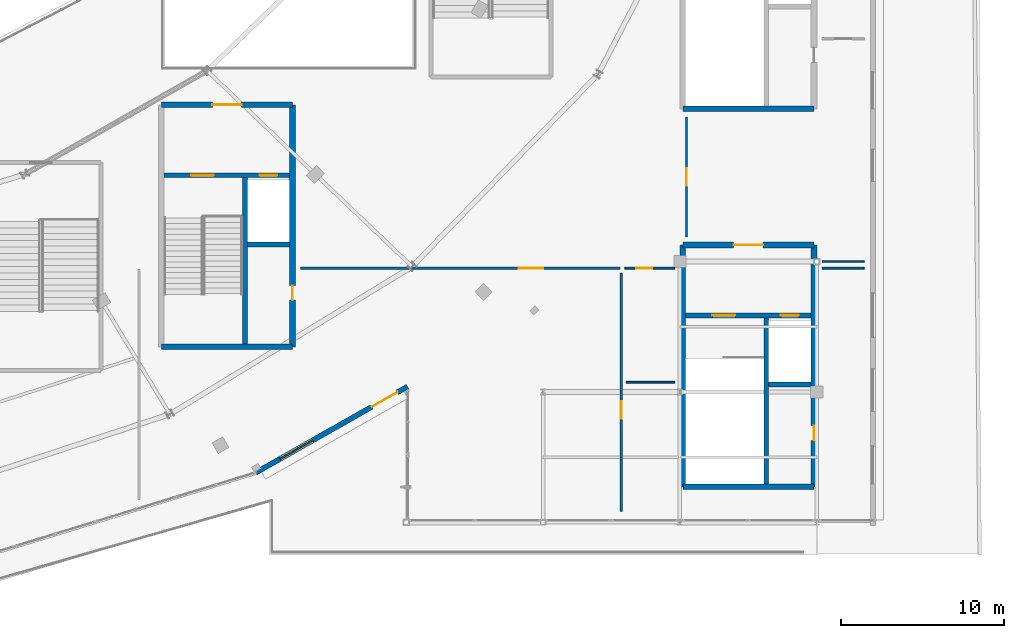
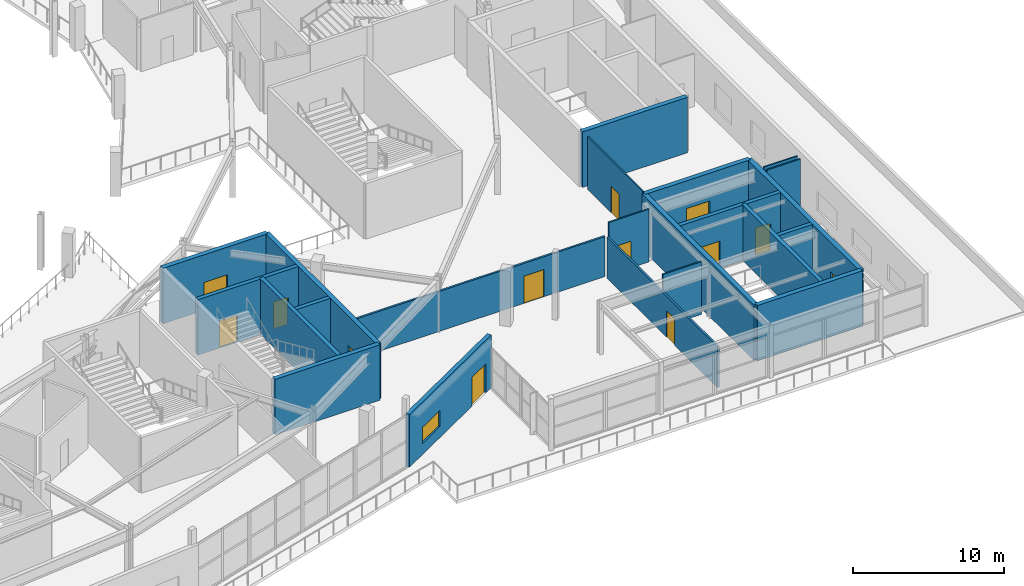
# One storey, part 91 of 123: 22 walls, 13 doors, 1 window, 14 openings.
"""IFC4 building model written with IfcOpenShell, lengths in metres."""

from ifc_helpers import new_model, si_unit, direction, frame, frame_2d, origin, place, context, subcontext, project, spatial, rectangle, extrude, material, layer, layer_set, type_object, element, fill, save


model = new_model("IFC4")

# Units and contexts
model_context = context("Model", 3, precision=1e-05, world=origin(), true_north=direction((0.0, 1.0)))
body_context = subcontext(model_context, "Body", "Model", "MODEL_VIEW")
ifc_project = project(units=[si_unit("LENGTHUNIT", "METRE"), si_unit("AREAUNIT", "SQUARE_METRE"), si_unit("VOLUMEUNIT", "CUBIC_METRE"), si_unit("PLANEANGLEUNIT", "RADIAN"), si_unit("MASSUNIT", "GRAM", prefix="KILO")], contexts=[model_context])

# Site, building, storey
site_placement = place(None, origin())
site = spatial("IfcSite", under=ifc_project, at=site_placement, CompositionType="ELEMENT")
building_placement = place(site_placement, origin())
building = spatial("IfcBuilding", under=site, at=building_placement, Name="Kalgoora Escarpment Arena", CompositionType="ELEMENT")
storey_placement = place(building_placement, frame((0.0, 0.0, 9.89990234375)))
storey = spatial("IfcBuildingStorey", under=building, at=storey_placement, Name="L02", CompositionType="ELEMENT", Elevation=9.89990234375)

# Wall
ifc_material_1 = material(Name="Concrete N50 (fc' 50 MPa)", Category="concrete")
ifc_layer_1 = layer(ifc_material_1, 0.35009765625)
ifc_layer_set_1 = layer_set([ifc_layer_1], Name="WAL-CORE-350")
wall_type_1 = type_object("IfcWallType", Name="WAL-CORE-350", PredefinedType="SHEAR", material=ifc_layer_set_1)
wall_1_placement = place(storey_placement, frame((127.77490234375, 18.77490234375, 0.0), z_axis=(0.0, 0.0, 1.0), x_axis=(1.0, 0.0, 0.0)))
element("IfcWall", 1, at=wall_1_placement, inside=storey, type_object=wall_type_1, Name="Core C6 L02 south shear wall", PredefinedType="SHEAR", context=body_context, shape_type="SweptSolid", body=[
    extrude(rectangle(XDim=8.050048828125, YDim=0.35009765625, at=frame_2d((4.02490234375, 0.0))), origin(), (0.0, 0.0, 1.0), 4.5),
])

# Wall, opening, door
wall_2_placement = place(storey_placement, frame((127.77490234375, 33.625, 0.0), z_axis=(0.0, 0.0, 1.0), x_axis=(1.0, 0.0, 0.0)))
wall_2 = element("IfcWall", 2, at=wall_2_placement, inside=storey, type_object=wall_type_1, Name="Core C6 L02 north lobby wall", PredefinedType="SHEAR", context=body_context, shape_type="SweptSolid", body=[
    extrude(rectangle(XDim=8.050048828125, YDim=0.35009765625, at=frame_2d((4.02490234375, 0.0))), origin(), (0.0, 0.0, 1.0), 4.5),
])
opening_1_placement = place(wall_2_placement, frame((3.125, 0.0, 0.0)))
opening_1 = element("IfcOpeningElement", 3, at=opening_1_placement, cuts=wall_2, Name="Opening FD-C6L", PredefinedType="OPENING", context=body_context, shape_type="SweptSolid", body=[
    extrude(rectangle(XDim=1.800048828125, YDim=2.25, at=frame_2d((0.89990234375, 1.125))), frame((0.0, 0.18505859375, 0.0), z_axis=(0.0, -1.0, 0.0), x_axis=(1.0, 0.0, 0.0)), (0.0, 0.0, 1.0), 0.3701171875),
])
ifc_material_2 = material(Name="Double fire-rated smoke-seal lobby door")
door_type_1 = type_object("IfcDoorType", Name="DR-LOBBY-1800", OperationType="NOTDEFINED", PredefinedType="DOOR", material=ifc_material_2)
door_1_placement = place(opening_1_placement, origin())
door_1 = element("IfcDoor", 4, at=door_1_placement, inside=storey, type_object=door_type_1, Name="Core C6 L02 smoke-lobby fire door", OperationType="DOUBLE_DOOR_SINGLE_SWING", OverallHeight=2.25, OverallWidth=1.800048828125, PredefinedType="DOOR", context=body_context, shape_type="SweptSolid", body=[
    extrude(rectangle(XDim=1.800048828125, YDim=2.25, at=frame_2d((0.89990234375, 1.125))), frame((0.0, 0.02490234375, 0.0), z_axis=(0.0, -1.0, 0.0), x_axis=(1.0, 0.0, 0.0)), (0.0, 0.0, 1.0), 0.050048828125),
])
fill(opening_1, door_1)

wall_3_placement = place(storey_placement, frame((135.824951171875, 18.77490234375, 0.0), z_axis=(0.0, 0.0, 1.0), x_axis=(0.0, 1.0, 0.0)))
wall_3 = element("IfcWall", 5, at=wall_3_placement, inside=storey, type_object=wall_type_1, Name="Core C6 L02 east shear wall", PredefinedType="SHEAR", context=body_context, shape_type="SweptSolid", body=[
    extrude(rectangle(XDim=14.85009765625, YDim=0.35009765625, at=frame_2d((7.425048828125, 0.0))), origin(), (0.0, 0.0, 1.0), 4.5),
])
opening_2_placement = place(wall_3_placement, frame((2.85498046875, 0.0, 0.0)))
opening_2 = element("IfcOpeningElement", 6, at=opening_2_placement, cuts=wall_3, Name="Opening FD-C6R", PredefinedType="OPENING", context=body_context, shape_type="SweptSolid", body=[
    extrude(rectangle(XDim=0.89990234375, YDim=2.10009765625, at=frame_2d((0.449951171875, 1.050048828125))), frame((0.0, 0.18505859375, 0.0), z_axis=(0.0, -1.0, 0.0), x_axis=(1.0, 0.0, 0.0)), (0.0, 0.0, 1.0), 0.3701171875),
])
ifc_material_3 = material(Name="Fire-rated steel riser access door", Category="steel")
door_type_2 = type_object("IfcDoorType", Name="DR-RISER-0900", OperationType="NOTDEFINED", PredefinedType="DOOR", material=ifc_material_3)
door_2_placement = place(opening_2_placement, origin())
door_2 = element("IfcDoor", 7, at=door_2_placement, inside=storey, type_object=door_type_2, Name="Core C6 L02 riser cupboard access door", OperationType="SINGLE_SWING_RIGHT", OverallHeight=2.10009765625, OverallWidth=0.89990234375, PredefinedType="DOOR", context=body_context, shape_type="SweptSolid", body=[
    extrude(rectangle(XDim=0.89990234375, YDim=2.10009765625, at=frame_2d((0.449951171875, 1.050048828125))), frame((0.0, 0.02490234375, 0.0), z_axis=(0.0, -1.0, 0.0), x_axis=(1.0, 0.0, 0.0)), (0.0, 0.0, 1.0), 0.050048828125),
])
fill(opening_2, door_2)

# Walls
for number, where, z_axis, x_axis, name in (
    (8, (159.77490234375, 33.375, 0.0), (0.0, 0.0, 1.0), (1.0, 0.0, 0.0), "Core C7 L02 south shear wall"),
    (9, (159.77490234375, 10.175048828125, 0.0), (0.0, 0.0, 1.0), (1.0, 0.0, 0.0), "Core C8 L02 south shear wall"),
):
    element("IfcWall", number, at=place(storey_placement, frame(where, z_axis=z_axis, x_axis=x_axis)), inside=storey, type_object=wall_type_1, Name=name, PredefinedType="SHEAR", context=body_context, shape_type="SweptSolid", body=[
        extrude(rectangle(XDim=8.050048828125, YDim=0.35009765625, at=frame_2d((4.02490234375, 0.0))), origin(), (0.0, 0.0, 1.0), 4.5),
    ])

# Wall, opening, door
wall_4_placement = place(storey_placement, frame((159.77490234375, 25.02490234375, 0.0), z_axis=(0.0, 0.0, 1.0), x_axis=(1.0, 0.0, 0.0)))
wall_4 = element("IfcWall", 10, at=wall_4_placement, inside=storey, type_object=wall_type_1, Name="Core C8 L02 north lobby wall", PredefinedType="SHEAR", context=body_context, shape_type="SweptSolid", body=[
    extrude(rectangle(XDim=8.050048828125, YDim=0.35009765625, at=frame_2d((4.02490234375, 0.0))), origin(), (0.0, 0.0, 1.0), 4.5),
])
opening_3_placement = place(wall_4_placement, frame((3.125, 0.0, 0.0)))
opening_3 = element("IfcOpeningElement", 11, at=opening_3_placement, cuts=wall_4, Name="Opening FD-C8L", PredefinedType="OPENING", context=body_context, shape_type="SweptSolid", body=[
    extrude(rectangle(XDim=1.800048828125, YDim=2.25, at=frame_2d((0.89990234375, 1.125))), frame((0.0, 0.18505859375, 0.0), z_axis=(0.0, -1.0, 0.0), x_axis=(1.0, 0.0, 0.0)), (0.0, 0.0, 1.0), 0.3701171875),
])
door_3_placement = place(opening_3_placement, origin())
door_3 = element("IfcDoor", 12, at=door_3_placement, inside=storey, type_object=door_type_1, Name="Core C8 L02 smoke-lobby fire door", OperationType="DOUBLE_DOOR_SINGLE_SWING", OverallHeight=2.25, OverallWidth=1.800048828125, PredefinedType="DOOR", context=body_context, shape_type="SweptSolid", body=[
    extrude(rectangle(XDim=1.800048828125, YDim=2.25, at=frame_2d((0.89990234375, 1.125))), frame((0.0, 0.02490234375, 0.0), z_axis=(0.0, -1.0, 0.0), x_axis=(1.0, 0.0, 0.0)), (0.0, 0.0, 1.0), 0.050048828125),
])
fill(opening_3, door_3)

# Wall
wall_5_placement = place(storey_placement, frame((159.77490234375, 10.175048828125, 0.0), z_axis=(0.0, 0.0, 1.0), x_axis=(0.0, 1.0, 0.0)))
element("IfcWall", 13, at=wall_5_placement, inside=storey, type_object=wall_type_1, Name="Core C8 L02 west shear wall", PredefinedType="SHEAR", context=body_context, shape_type="SweptSolid", body=[
    extrude(rectangle(XDim=14.849853515625, YDim=0.35009765625, at=frame_2d((7.4248046875, 0.0))), origin(), (0.0, 0.0, 1.0), 4.5),
])

# Wall, opening, door
wall_6_placement = place(storey_placement, frame((167.824951171875, 10.175048828125, 0.0), z_axis=(0.0, 0.0, 1.0), x_axis=(0.0, 1.0, 0.0)))
wall_6 = element("IfcWall", 14, at=wall_6_placement, inside=storey, type_object=wall_type_1, Name="Core C8 L02 east shear wall", PredefinedType="SHEAR", context=body_context, shape_type="SweptSolid", body=[
    extrude(rectangle(XDim=14.849853515625, YDim=0.35009765625, at=frame_2d((7.4248046875, 0.0))), origin(), (0.0, 0.0, 1.0), 4.5),
])
opening_4_placement = place(wall_6_placement, frame((2.85498046875, 0.0, 0.0)))
opening_4 = element("IfcOpeningElement", 15, at=opening_4_placement, cuts=wall_6, Name="Opening FD-C8R", PredefinedType="OPENING", context=body_context, shape_type="SweptSolid", body=[
    extrude(rectangle(XDim=0.89990234375, YDim=2.10009765625, at=frame_2d((0.449951171875, 1.050048828125))), frame((0.0, 0.18505859375, 0.0), z_axis=(0.0, -1.0, 0.0), x_axis=(1.0, 0.0, 0.0)), (0.0, 0.0, 1.0), 0.3701171875),
])
door_4_placement = place(opening_4_placement, origin())
door_4 = element("IfcDoor", 16, at=door_4_placement, inside=storey, type_object=door_type_2, Name="Core C8 L02 riser cupboard access door", OperationType="SINGLE_SWING_LEFT", OverallHeight=2.10009765625, OverallWidth=0.89990234375, PredefinedType="DOOR", context=body_context, shape_type="SweptSolid", body=[
    extrude(rectangle(XDim=0.89990234375, YDim=2.10009765625, at=frame_2d((0.449951171875, 1.050048828125))), frame((0.0, 0.02490234375, 0.0), z_axis=(0.0, -1.0, 0.0), x_axis=(1.0, 0.0, 0.0)), (0.0, 0.0, 1.0), 0.050048828125),
])
fill(opening_4, door_4)

# Wall, openings, door, window
ifc_material_4 = material(Name="Insulated limestone cladding precast wall 40 MPa", Category="masonry")
ifc_layer_2 = layer(ifc_material_4, 0.31494140625)
ifc_layer_set_2 = layer_set([ifc_layer_2], Name="WAL-EXT-315")
wall_type_2 = type_object("IfcWallType", Name="WAL-EXT-315", PredefinedType="SOLIDWALL", material=ifc_layer_set_2)
wall_7_placement = place(storey_placement, frame((142.881103515625, 16.330810546875, 0.0), z_axis=(0.0, 0.0, 1.0), x_axis=(-0.869834750278, -0.493343194144, 0.0)))
wall_7 = element("IfcWall", 17, at=wall_7_placement, inside=storey, type_object=wall_type_2, Name="L02 limestone-faced external wall 040", PredefinedType="SOLIDWALL", context=body_context, shape_type="SweptSolid", body=[
    extrude(rectangle(XDim=10.7119140625, YDim=0.31494140625, at=frame_2d((5.35595703125, 0.0))), origin(), (0.0, 0.0, 1.0), 4.260009765625),
])
opening_5_placement = place(wall_7_placement, frame((0.712890625, 0.0, 0.0)))
opening_5 = element("IfcOpeningElement", 18, at=opening_5_placement, cuts=wall_7, Name="Opening TD20", PredefinedType="OPENING", context=body_context, shape_type="SweptSolid", body=[
    extrude(rectangle(XDim=1.800048828125, YDim=2.35009765625, at=frame_2d((0.89990234375, 1.175048828125))), frame((0.0, 0.16748046875, 0.0), z_axis=(0.0, -1.0, 0.0), x_axis=(1.0, 0.0, 0.0)), (0.0, 0.0, 1.0), 0.3349609375),
])
opening_6_placement = place(wall_7_placement, frame((6.699951171875, 0.0, 0.89990234375)))
opening_6 = element("IfcOpeningElement", 19, at=opening_6_placement, cuts=wall_7, Name="Opening W-16", PredefinedType="OPENING", context=body_context, shape_type="SweptSolid", body=[
    extrude(rectangle(XDim=2.300048828125, YDim=1.300048828125, at=frame_2d((1.14990234375, 0.64990234375))), frame((0.0, 0.16748046875, 0.0), z_axis=(0.0, -1.0, 0.0), x_axis=(1.0, 0.0, 0.0)), (0.0, 0.0, 1.0), 0.3349609375),
])
ifc_material_5 = material(Name="Thermally broken aluminium glazed terrace double door", Category="aluminium")
door_type_3 = type_object("IfcDoorType", Name="DR-TERR-1800", OperationType="NOTDEFINED", PredefinedType="DOOR", material=ifc_material_5)
door_5_placement = place(opening_5_placement, origin())
door_5 = element("IfcDoor", 20, at=door_5_placement, inside=storey, type_object=door_type_3, Name="Middle Planted Elliptical Garden Promenade access door TD20", OperationType="DOUBLE_DOOR_SINGLE_SWING", OverallHeight=2.35009765625, OverallWidth=1.800048828125, PredefinedType="DOOR", context=body_context, shape_type="SweptSolid", body=[
    extrude(rectangle(XDim=1.800048828125, YDim=2.35009765625, at=frame_2d((0.89990234375, 1.175048828125))), frame((0.0, 0.02490234375, 0.0), z_axis=(0.0, -1.0, 0.0), x_axis=(1.0, 0.0, 0.0)), (0.0, 0.0, 1.0), 0.050048828125),
])
fill(opening_5, door_5)
ifc_material_6 = material(Name="Low-E solar-control double glazing in champagne frame", Category="glass")
window_type = type_object("IfcWindowType", Name="WIN-CLER-2300x1300", PartitioningType="SINGLE_PANEL", PredefinedType="WINDOW", material=ifc_material_6)
window_placement = place(opening_6_placement, origin())
window = element("IfcWindow", 21, at=window_placement, inside=storey, type_object=window_type, Name="L02 scheduled facade window 035", OverallHeight=1.300048828125, OverallWidth=2.300048828125, PartitioningType="SINGLE_PANEL", PredefinedType="WINDOW", context=body_context, shape_type="SweptSolid", body=[
    extrude(rectangle(XDim=2.300048828125, YDim=1.300048828125, at=frame_2d((1.14990234375, 0.64990234375))), frame((0.0, 0.030029296875, 0.0), z_axis=(0.0, -1.0, 0.0), x_axis=(1.0, 0.0, 0.0)), (0.0, 0.0, 1.0), 0.06005859375),
])
fill(opening_6, window)

# Wall
ifc_material_7 = material(Name="Framed acoustic studio partition", Category="gypsum")
ifc_layer_3 = layer(ifc_material_7, 0.10498046875)
ifc_layer_set_3 = layer_set([ifc_layer_3], Name="WAL-GLZ-105")
wall_type_3 = type_object("IfcWallType", Name="WAL-GLZ-105", PredefinedType="PARTITIONING", material=ifc_layer_set_3)
wall_8_placement = place(storey_placement, frame((170.91259765625, 24.0, 0.0), z_axis=(0.0, 0.0, 1.0), x_axis=(-1.0, 0.0, 0.0)))
element("IfcWall", 22, at=wall_8_placement, inside=storey, type_object=wall_type_3, Name="L02 Practice Viewing Gallery partition wall", PredefinedType="PARTITIONING", context=body_context, shape_type="SweptSolid", body=[
    extrude(rectangle(XDim=2.587646484375, YDim=0.10498046875, at=frame_2d((1.2939453125, 0.0))), origin(), (0.0, 0.0, 1.0), 4.260009765625),
])

# Wall, opening, door
wall_9_placement = place(storey_placement, frame((160.0, 25.52490234375, 0.0), z_axis=(0.0, 0.0, 1.0), x_axis=(0.0, 1.0, 0.0)))
wall_9 = element("IfcWall", 23, at=wall_9_placement, inside=storey, type_object=wall_type_3, Name="L02 Practice Viewing Gallery partition wall", PredefinedType="PARTITIONING", context=body_context, shape_type="SweptSolid", body=[
    extrude(rectangle(XDim=7.35009765625, YDim=0.10498046875, at=frame_2d((3.675048828125, 0.0))), origin(), (0.0, 0.0, 1.0), 4.260009765625),
])
opening_7_placement = place(wall_9_placement, frame((3.135009765625, 0.0, 0.0)))
opening_7 = element("IfcOpeningElement", 24, at=opening_7_placement, cuts=wall_9, Name="Opening FD-I099", PredefinedType="OPENING", context=body_context, shape_type="SweptSolid", body=[
    extrude(rectangle(XDim=1.080078125, YDim=2.14990234375, at=frame_2d((0.5400390625, 1.074951171875))), frame((0.0, 0.0625, 0.0), z_axis=(0.0, -1.0, 0.0), x_axis=(1.0, 0.0, 0.0)), (0.0, 0.0, 1.0), 0.125),
])
ifc_material_8 = material(Name="Solid-core acoustic timber door", Category="wood")
door_type_4 = type_object("IfcDoorType", Name="DR-GEN-1080", OperationType="NOTDEFINED", PredefinedType="DOOR", material=ifc_material_8)
door_6_placement = place(opening_7_placement, origin())
door_6 = element("IfcDoor", 25, at=door_6_placement, inside=storey, type_object=door_type_4, Name="Practice Viewing Gallery entrance door", OperationType="SINGLE_SWING_LEFT", OverallHeight=2.14990234375, OverallWidth=1.080078125, PredefinedType="DOOR", context=body_context, shape_type="SweptSolid", body=[
    extrude(rectangle(XDim=1.080078125, YDim=2.14990234375, at=frame_2d((0.5400390625, 1.074951171875))), frame((0.0, 0.02490234375, 0.0), z_axis=(0.0, -1.0, 0.0), x_axis=(1.0, 0.0, 0.0)), (0.0, 0.0, 1.0), 0.050048828125),
])
fill(opening_7, door_6)

# Wall
ifc_material_9 = material(Name="Light steel-stud office partition", Category="steel")
ifc_layer_4 = layer(ifc_material_9, 0.114990234375)
ifc_layer_set_4 = layer_set([ifc_layer_4], Name="WAL-OFF-115")
wall_type_4 = type_object("IfcWallType", Name="WAL-OFF-115", PredefinedType="PARTITIONING", material=ifc_layer_set_4)
wall_10_placement = place(storey_placement, frame((156.300048828125, 16.60009765625, 0.0), z_axis=(0.0, 0.0, 1.0), x_axis=(1.0, 0.0, 0.0)))
element("IfcWall", 26, at=wall_10_placement, inside=storey, type_object=wall_type_4, Name="L02 Venue Management Office partition wall", PredefinedType="PARTITIONING", context=body_context, shape_type="SweptSolid", body=[
    extrude(rectangle(XDim=2.974853515625, YDim=0.114990234375, at=frame_2d((1.4873046875, 0.0))), origin(), (0.0, 0.0, 1.0), 4.260009765625),
])

# Wall, opening, door
wall_11_placement = place(storey_placement, frame((156.219970703125, 23.60009765625, 0.0), z_axis=(0.0, 0.0, 1.0), x_axis=(1.0, 0.0, 0.0)))
wall_11 = element("IfcWall", 27, at=wall_11_placement, inside=storey, type_object=wall_type_4, Name="L02 Venue Management Office 2 partition wall", PredefinedType="PARTITIONING", context=body_context, shape_type="SweptSolid", body=[
    extrude(rectangle(XDim=3.054931640625, YDim=0.114990234375, at=frame_2d((1.52734375, 0.0))), origin(), (0.0, 0.0, 1.0), 4.260009765625),
])
opening_8_placement = place(wall_11_placement, frame((0.70556640625, 0.0, 0.0)))
opening_8 = element("IfcOpeningElement", 28, at=opening_8_placement, cuts=wall_11, Name="Opening D-I104", PredefinedType="OPENING", context=body_context, shape_type="SweptSolid", body=[
    extrude(rectangle(XDim=0.97998046875, YDim=2.14990234375, at=frame_2d((0.489990234375, 1.074951171875))), frame((0.0, 0.0673828125, 0.0), z_axis=(0.0, -1.0, 0.0), x_axis=(1.0, 0.0, 0.0)), (0.0, 0.0, 1.0), 0.135009765625),
])
ifc_material_10 = material(Name="Solid-core acoustic timber door", Category="wood")
door_type_5 = type_object("IfcDoorType", Name="DR-GEN-0980", OperationType="NOTDEFINED", PredefinedType="DOOR", material=ifc_material_10)
door_7_placement = place(opening_8_placement, origin())
door_7 = element("IfcDoor", 29, at=door_7_placement, inside=storey, type_object=door_type_5, Name="Venue Management Office 2 entrance door", OperationType="SINGLE_SWING_LEFT", OverallHeight=2.14990234375, OverallWidth=0.97998046875, PredefinedType="DOOR", context=body_context, shape_type="SweptSolid", body=[
    extrude(rectangle(XDim=0.97998046875, YDim=2.14990234375, at=frame_2d((0.489990234375, 1.074951171875))), frame((0.0, 0.02490234375, 0.0), z_axis=(0.0, -1.0, 0.0), x_axis=(1.0, 0.0, 0.0)), (0.0, 0.0, 1.0), 0.050048828125),
])
fill(opening_8, door_7)

# Wall
wall_12_placement = place(storey_placement, frame((168.324951171875, 23.60009765625, 0.0), z_axis=(0.0, 0.0, 1.0), x_axis=(1.0, 0.0, 0.0)))
element("IfcWall", 30, at=wall_12_placement, inside=storey, type_object=wall_type_4, Name="L02 Venue Management Office 3 partition wall", PredefinedType="PARTITIONING", context=body_context, shape_type="SweptSolid", body=[
    extrude(rectangle(XDim=2.587646484375, YDim=0.114990234375, at=frame_2d((1.2939453125, 0.0))), origin(), (0.0, 0.0, 1.0), 4.260009765625),
])

# Wall, opening, door
ifc_material_11 = material(Name="Insulated steel-stud acoustic partition", Category="steel")
ifc_layer_5 = layer(ifc_material_11, 0.14501953125)
ifc_layer_set_5 = layer_set([ifc_layer_5], Name="WAL-ROOM-145")
wall_type_5 = type_object("IfcWallType", Name="WAL-ROOM-145", PredefinedType="PARTITIONING", material=ifc_layer_set_5)
wall_13_placement = place(storey_placement, frame((136.324951171875, 23.60009765625, 0.0), z_axis=(0.0, 0.0, 1.0), x_axis=(1.0, 0.0, 0.0)))
wall_13 = element("IfcWall", 31, at=wall_13_placement, inside=storey, type_object=wall_type_5, Name="L02 Club Finishing Kitchen partition wall", PredefinedType="PARTITIONING", context=body_context, shape_type="SweptSolid", body=[
    extrude(rectangle(XDim=19.594970703125, YDim=0.14501953125, at=frame_2d((9.79736328125, 0.0))), origin(), (0.0, 0.0, 1.0), 3.2451171875),
])
opening_9_placement = place(wall_13_placement, frame((13.390380859375, 0.0, 0.0)))
opening_9 = element("IfcOpeningElement", 32, at=opening_9_placement, cuts=wall_13, Name="Opening FD-I102", PredefinedType="OPENING", context=body_context, shape_type="SweptSolid", body=[
    extrude(rectangle(XDim=1.5, YDim=2.199951171875, at=frame_2d((0.75, 1.10009765625))), frame((0.0, 0.08251953125, 0.0), z_axis=(0.0, -1.0, 0.0), x_axis=(1.0, 0.0, 0.0)), (0.0, 0.0, 1.0), 0.1650390625),
])
ifc_material_12 = material(Name="Stainless-clad fire-rated kitchen double door")
door_type_6 = type_object("IfcDoorType", Name="DR-KIT-1500", OperationType="NOTDEFINED", PredefinedType="DOOR", material=ifc_material_12)
door_8_placement = place(opening_9_placement, origin())
door_8 = element("IfcDoor", 33, at=door_8_placement, inside=storey, type_object=door_type_6, Name="Club Finishing Kitchen entrance door", OperationType="DOUBLE_DOOR_SINGLE_SWING", OverallHeight=2.199951171875, OverallWidth=1.5, PredefinedType="DOOR", context=body_context, shape_type="SweptSolid", body=[
    extrude(rectangle(XDim=1.5, YDim=2.199951171875, at=frame_2d((0.75, 1.10009765625))), frame((0.0, 0.02490234375, 0.0), z_axis=(0.0, -1.0, 0.0), x_axis=(1.0, 0.0, 0.0)), (0.0, 0.0, 1.0), 0.050048828125),
])
fill(opening_9, door_8)

wall_14_placement = place(storey_placement, frame((156.0, 23.315185546875, 0.0), z_axis=(0.0, 0.0, 1.0), x_axis=(0.0, -1.0, 0.0)))
wall_14 = element("IfcWall", 34, at=wall_14_placement, inside=storey, type_object=wall_type_5, Name="L02 Club Finishing Kitchen partition wall", PredefinedType="PARTITIONING", context=body_context, shape_type="SweptSolid", body=[
    extrude(rectangle(XDim=14.665283203125, YDim=0.14501953125, at=frame_2d((7.33251953125, 0.0))), origin(), (0.0, 0.0, 1.0), 3.3251953125),
])
opening_10_placement = place(wall_14_placement, frame((7.87939453125, 0.0, 0.0)))
opening_10 = element("IfcOpeningElement", 35, at=opening_10_placement, cuts=wall_14, Name="Opening FD-I103", PredefinedType="OPENING", context=body_context, shape_type="SweptSolid", body=[
    extrude(rectangle(XDim=1.080078125, YDim=2.14990234375, at=frame_2d((0.5400390625, 1.074951171875))), frame((0.0, 0.08251953125, 0.0), z_axis=(0.0, -1.0, 0.0), x_axis=(1.0, 0.0, 0.0)), (0.0, 0.0, 1.0), 0.1650390625),
])
door_9_placement = place(opening_10_placement, origin())
door_9 = element("IfcDoor", 36, at=door_9_placement, inside=storey, type_object=door_type_4, Name="Venue Management Office entrance door", OperationType="SINGLE_SWING_RIGHT", OverallHeight=2.14990234375, OverallWidth=1.080078125, PredefinedType="DOOR", context=body_context, shape_type="SweptSolid", body=[
    extrude(rectangle(XDim=1.080078125, YDim=2.14990234375, at=frame_2d((0.5400390625, 1.074951171875))), frame((0.0, 0.02490234375, 0.0), z_axis=(0.0, -1.0, 0.0), x_axis=(1.0, 0.0, 0.0)), (0.0, 0.0, 1.0), 0.050048828125),
])
fill(opening_10, door_9)

# Wall, openings, doors
ifc_material_13 = material(Name="Concrete N50 (fc' 50 MPa)", Category="concrete")
ifc_layer_6 = layer(ifc_material_13, 0.300048828125)
ifc_layer_set_6 = layer_set([ifc_layer_6], Name="WAL-SHAFT-300")
wall_type_6 = type_object("IfcWallType", Name="WAL-SHAFT-300", PredefinedType="SHEAR", material=ifc_layer_set_6)
wall_15_placement = place(storey_placement, frame((127.949951171875, 29.300048828125, 0.0), z_axis=(0.0, 0.0, 1.0), x_axis=(1.0, 0.0, 0.0)))
wall_15 = element("IfcWall", 37, at=wall_15_placement, inside=storey, type_object=wall_type_6, Name="Core C6 L02 lobby shaft wall", PredefinedType="SHEAR", context=body_context, shape_type="SweptSolid", body=[
    extrude(rectangle(XDim=7.699951171875, YDim=0.300048828125, at=frame_2d((3.85009765625, 0.0))), origin(), (0.0, 0.0, 1.0), 4.5),
])
opening_11_placement = place(wall_15_placement, frame((1.64990234375, 0.0, 0.0)))
opening_11 = element("IfcOpeningElement", 38, at=opening_11_placement, cuts=wall_15, Name="Opening FD-ST06", PredefinedType="OPENING", context=body_context, shape_type="SweptSolid", body=[
    extrude(rectangle(XDim=1.39990234375, YDim=2.199951171875, at=frame_2d((0.699951171875, 1.10009765625))), frame((0.0, 0.159912109375, 0.0), z_axis=(0.0, -1.0, 0.0), x_axis=(1.0, 0.0, 0.0)), (0.0, 0.0, 1.0), 0.320068359375),
])
opening_12_placement = place(wall_15_placement, frame((5.85009765625, 0.0, 0.0)))
opening_12 = element("IfcOpeningElement", 39, at=opening_12_placement, cuts=wall_15, Name="Opening LD-PL4", PredefinedType="OPENING", context=body_context, shape_type="SweptSolid", body=[
    extrude(rectangle(XDim=1.10009765625, YDim=2.199951171875, at=frame_2d((0.550048828125, 1.10009765625))), frame((0.0, 0.159912109375, 0.0), z_axis=(0.0, -1.0, 0.0), x_axis=(1.0, 0.0, 0.0)), (0.0, 0.0, 1.0), 0.320068359375),
])
ifc_material_14 = material(Name="Brushed stainless steel sliding lift landing door", Category="steel")
door_type_7 = type_object("IfcDoorType", Name="DR-LD-PL4", OperationType="SLIDING_TO_LEFT", PredefinedType="DOOR", material=ifc_material_14)
door_10_placement = place(opening_12_placement, origin())
door_10 = element("IfcDoor", 40, at=door_10_placement, inside=storey, type_object=door_type_7, Name="Lift PL4 L02 sliding landing door", OperationType="SLIDING_TO_LEFT", OverallHeight=2.199951171875, OverallWidth=1.10009765625, PredefinedType="DOOR", context=body_context, shape_type="SweptSolid", body=[
    extrude(rectangle(XDim=1.10009765625, YDim=2.199951171875, at=frame_2d((0.550048828125, 1.10009765625))), frame((0.0, 0.02490234375, 0.0), z_axis=(0.0, -1.0, 0.0), x_axis=(1.0, 0.0, 0.0)), (0.0, 0.0, 1.0), 0.050048828125),
])
fill(opening_12, door_10)
ifc_material_15 = material(Name="Fire-rated steel stair leaf with vision panel", Category="steel")
door_type_8 = type_object("IfcDoorType", Name="DR-STAIR-1400", OperationType="NOTDEFINED", PredefinedType="DOOR", material=ifc_material_15)
door_11_placement = place(opening_11_placement, origin())
door_11 = element("IfcDoor", 41, at=door_11_placement, inside=storey, type_object=door_type_8, Name="Fire stair ST06 L02 fire door", OperationType="SINGLE_SWING_LEFT", OverallHeight=2.199951171875, OverallWidth=1.39990234375, PredefinedType="DOOR", context=body_context, shape_type="SweptSolid", body=[
    extrude(rectangle(XDim=1.39990234375, YDim=2.199951171875, at=frame_2d((0.699951171875, 1.10009765625))), frame((0.0, 0.02490234375, 0.0), z_axis=(0.0, -1.0, 0.0), x_axis=(1.0, 0.0, 0.0)), (0.0, 0.0, 1.0), 0.050048828125),
])
fill(opening_11, door_11)

# Walls
wall_16_placement = place(storey_placement, frame((132.89990234375, 18.949951171875, 0.0), z_axis=(0.0, 0.0, 1.0), x_axis=(0.0, 1.0, 0.0)))
element("IfcWall", 42, at=wall_16_placement, inside=storey, type_object=wall_type_6, Name="Core C6 L02 stair-lift spine wall", PredefinedType="SHEAR", context=body_context, shape_type="SweptSolid", body=[
    extrude(rectangle(XDim=10.35009765625, YDim=0.300048828125, at=frame_2d((5.175048828125, 0.0))), origin(), (0.0, 0.0, 1.0), 4.5),
])
wall_17_placement = place(storey_placement, frame((133.050048828125, 25.050048828125, 0.0), z_axis=(0.0, 0.0, 1.0), x_axis=(1.0, 0.0, 0.0)))
element("IfcWall", 43, at=wall_17_placement, inside=storey, type_object=wall_type_6, Name="Core C6 L02 lift-riser divider wall", PredefinedType="SHEAR", context=body_context, shape_type="SweptSolid", body=[
    extrude(rectangle(XDim=2.599853515625, YDim=0.300048828125, at=frame_2d((1.2998046875, 0.0))), origin(), (0.0, 0.0, 1.0), 4.5),
])

# Wall, openings, doors
wall_18_placement = place(storey_placement, frame((159.949951171875, 20.699951171875, 0.0), z_axis=(0.0, 0.0, 1.0), x_axis=(1.0, 0.0, 0.0)))
wall_18 = element("IfcWall", 44, at=wall_18_placement, inside=storey, type_object=wall_type_6, Name="Core C8 L02 lobby shaft wall", PredefinedType="SHEAR", context=body_context, shape_type="SweptSolid", body=[
    extrude(rectangle(XDim=7.699951171875, YDim=0.300048828125, at=frame_2d((3.85009765625, 0.0))), origin(), (0.0, 0.0, 1.0), 4.5),
])
opening_13_placement = place(wall_18_placement, frame((1.64990234375, 0.0, 0.0)))
opening_13 = element("IfcOpeningElement", 45, at=opening_13_placement, cuts=wall_18, Name="Opening FD-ST08", PredefinedType="OPENING", context=body_context, shape_type="SweptSolid", body=[
    extrude(rectangle(XDim=1.39990234375, YDim=2.199951171875, at=frame_2d((0.699951171875, 1.10009765625))), frame((0.0, 0.159912109375, 0.0), z_axis=(0.0, -1.0, 0.0), x_axis=(1.0, 0.0, 0.0)), (0.0, 0.0, 1.0), 0.320068359375),
])
opening_14_placement = place(wall_18_placement, frame((5.85009765625, 0.0, 0.0)))
opening_14 = element("IfcOpeningElement", 46, at=opening_14_placement, cuts=wall_18, Name="Opening LD-GL2", PredefinedType="OPENING", context=body_context, shape_type="SweptSolid", body=[
    extrude(rectangle(XDim=1.10009765625, YDim=2.199951171875, at=frame_2d((0.550048828125, 1.10009765625))), frame((0.0, 0.159912109375, 0.0), z_axis=(0.0, -1.0, 0.0), x_axis=(1.0, 0.0, 0.0)), (0.0, 0.0, 1.0), 0.320068359375),
])
ifc_material_16 = material(Name="Brushed stainless steel sliding lift landing door", Category="steel")
door_type_9 = type_object("IfcDoorType", Name="DR-LD-GL2", OperationType="SLIDING_TO_LEFT", PredefinedType="DOOR", material=ifc_material_16)
door_12_placement = place(opening_14_placement, origin())
door_12 = element("IfcDoor", 47, at=door_12_placement, inside=storey, type_object=door_type_9, Name="Lift GL2 L02 sliding landing door", OperationType="SLIDING_TO_LEFT", OverallHeight=2.199951171875, OverallWidth=1.10009765625, PredefinedType="DOOR", context=body_context, shape_type="SweptSolid", body=[
    extrude(rectangle(XDim=1.10009765625, YDim=2.199951171875, at=frame_2d((0.550048828125, 1.10009765625))), frame((0.0, 0.02490234375, 0.0), z_axis=(0.0, -1.0, 0.0), x_axis=(1.0, 0.0, 0.0)), (0.0, 0.0, 1.0), 0.050048828125),
])
fill(opening_14, door_12)
door_13_placement = place(opening_13_placement, origin())
door_13 = element("IfcDoor", 48, at=door_13_placement, inside=storey, type_object=door_type_8, Name="Fire stair ST08 L02 fire door", OperationType="SINGLE_SWING_RIGHT", OverallHeight=2.199951171875, OverallWidth=1.39990234375, PredefinedType="DOOR", context=body_context, shape_type="SweptSolid", body=[
    extrude(rectangle(XDim=1.39990234375, YDim=2.199951171875, at=frame_2d((0.699951171875, 1.10009765625))), frame((0.0, 0.02490234375, 0.0), z_axis=(0.0, -1.0, 0.0), x_axis=(1.0, 0.0, 0.0)), (0.0, 0.0, 1.0), 0.050048828125),
])
fill(opening_13, door_13)

# Walls
wall_19_placement = place(storey_placement, frame((164.89990234375, 10.35009765625, 0.0), z_axis=(0.0, 0.0, 1.0), x_axis=(0.0, 1.0, 0.0)))
element("IfcWall", 49, at=wall_19_placement, inside=storey, type_object=wall_type_6, Name="Core C8 L02 stair-lift spine wall", PredefinedType="SHEAR", context=body_context, shape_type="SweptSolid", body=[
    extrude(rectangle(XDim=10.349853515625, YDim=0.300048828125, at=frame_2d((5.1748046875, 0.0))), origin(), (0.0, 0.0, 1.0), 4.5),
])
wall_20_placement = place(storey_placement, frame((165.050048828125, 16.449951171875, 0.0), z_axis=(0.0, 0.0, 1.0), x_axis=(1.0, 0.0, 0.0)))
element("IfcWall", 50, at=wall_20_placement, inside=storey, type_object=wall_type_6, Name="Core C8 L02 lift-riser divider wall", PredefinedType="SHEAR", context=body_context, shape_type="SweptSolid", body=[
    extrude(rectangle(XDim=2.599853515625, YDim=0.300048828125, at=frame_2d((1.2998046875, 0.0))), origin(), (0.0, 0.0, 1.0), 4.5),
])

save(model, "model.ifc")
